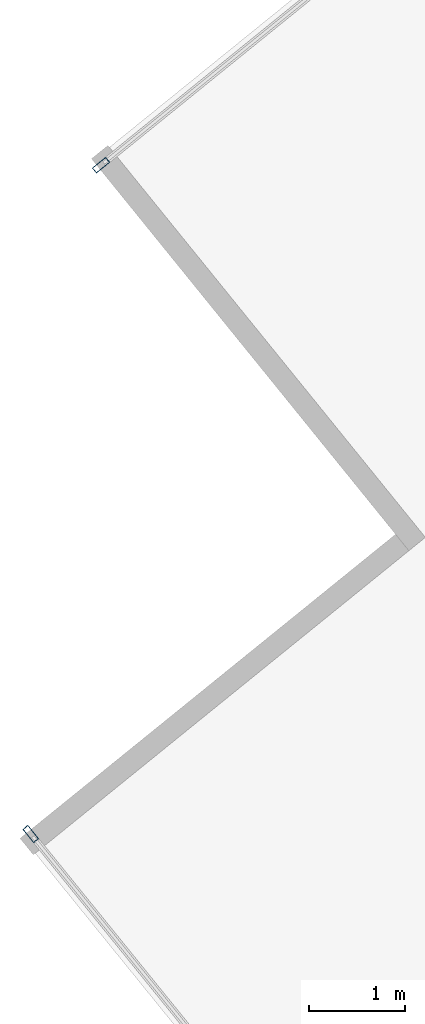
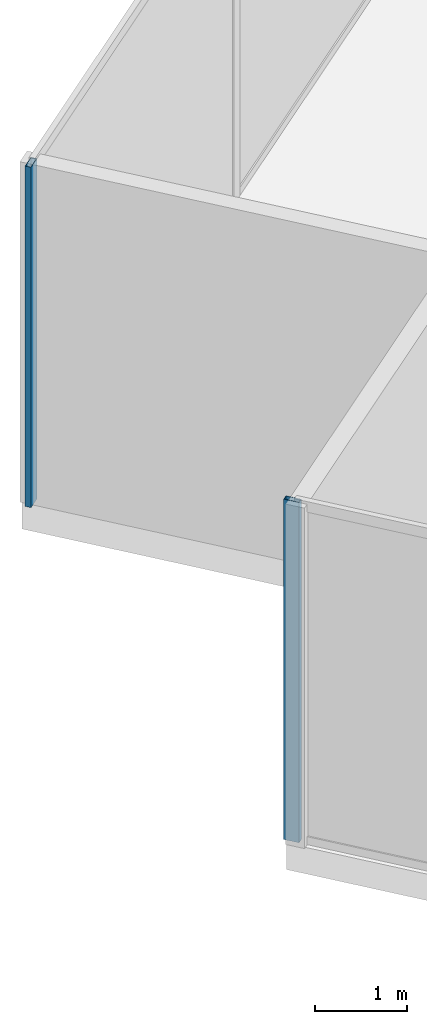
# One storey, part 6 of 22: 2 members, 2 elements without a shape of their own.
"""IFC4 building model written with IfcOpenShell, lengths in metres."""

from ifc_helpers import new_model, si_unit, direction, frame, origin, origin_2d, place, context, subcontext, project, spatial, hollow_rectangle, extrude, source, transform, mapped, material, material_profile, profile_set, type_object, type_shapes, element, aggregate, save


model = new_model("IFC4")

# Units and contexts
model_context = context("Model", 3, precision=1e-05, world=origin(), true_north=direction((0.0, 1.0)))
body_context = subcontext(model_context, "Body", "Model", "MODEL_VIEW")
ifc_project = project(units=[si_unit("LENGTHUNIT", "METRE"), si_unit("AREAUNIT", "SQUARE_METRE"), si_unit("VOLUMEUNIT", "CUBIC_METRE"), si_unit("PLANEANGLEUNIT", "RADIAN"), si_unit("MASSUNIT", "GRAM", prefix="KILO")], contexts=[model_context])

# Site, building, storey
site_placement = place(None, origin())
site = spatial("IfcSite", under=ifc_project, at=site_placement, CompositionType="ELEMENT")
building_placement = place(site_placement, origin())
building = spatial("IfcBuilding", under=site, at=building_placement, Name="Krantzveldt Concourse Tower", CompositionType="ELEMENT")
storey_placement = place(building_placement, frame((0.0, 0.0, 262.60009765625)))
storey = spatial("IfcBuildingStorey", under=building, at=storey_placement, Name="L64", CompositionType="ELEMENT", Elevation=262.60009765625)

# Curtain wall, member
ifc_material = material(Name="Anodised aluminium 6063-T6", Category="aluminium")
curtain_wall_type = type_object("IfcCurtainWallType", Name="CW5", PredefinedType="USERDEFINED", material=ifc_material)
curtain_wall_1_placement = place(storey_placement, origin())
curtain_wall_1 = element("IfcCurtainWall", 1, at=curtain_wall_1_placement, inside=storey, type_object=curtain_wall_type, Name="CW-L64-F01", ObjectType="UNITISED CURTAIN WALL", PredefinedType="USERDEFINED")
ifc_material_profile = material_profile(ifc_material, hollow_rectangle(XDim=0.070068359375, YDim=0.179931640625, WallThickness=0.0048828125, at=origin_2d()), Name="Anodised aluminium 6063-T6", Category="aluminium")
ifc_profile_set = profile_set([ifc_material_profile], Name="Anodised aluminium 6063-T6 - ALU-MULL 180x70x5")
member_type = type_object("IfcMemberType", Name="CW-MUL-180", PredefinedType="MULLION", material=ifc_profile_set)
shared_shape = source(origin(), body_context, "Body", "SweptSolid", [
    extrude(hollow_rectangle(XDim=0.070068359375, YDim=0.179931640625, WallThickness=0.0048828125, at=origin_2d()), origin(), (0.0, 0.0, 1.0), 4.52001953125),
])
type_shapes(member_type, [shared_shape])
member_1_placement = place(storey_placement, frame((11.136962890625, 32.8291015625, 0.0), z_axis=(0.0, 0.0, 1.0), x_axis=(0.629320425502, -0.777145933558, 0.0)))
member_1 = element("IfcMember", 2, at=member_1_placement, type_object=member_type, Name="CW-SKY mullion 6", PredefinedType="MULLION", context=body_context, shape_type="MappedRepresentation", body=[
    mapped(shared_shape, transform((0.0, 0.0, 0.0), x_axis=(1.0, 0.0, 0.0), y_axis=(0.0, 1.0, 0.0), z_axis=(0.0, 0.0, 1.0), scale=1.0)),
])
aggregate(curtain_wall_1, [member_1])

curtain_wall_2_placement = place(storey_placement, origin())
curtain_wall_2 = element("IfcCurtainWall", 3, at=curtain_wall_2_placement, inside=storey, type_object=curtain_wall_type, Name="CW-L64-F04", ObjectType="UNITISED CURTAIN WALL", PredefinedType="USERDEFINED")
member_2_placement = place(storey_placement, frame((10.406005859375, 25.8740234375, 0.0), z_axis=(0.0, 0.0, 1.0), x_axis=(0.777145933558, 0.629320425502, 0.0)))
member_2 = element("IfcMember", 4, at=member_2_placement, type_object=member_type, Name="CW-SKY mullion 1", PredefinedType="MULLION", context=body_context, shape_type="MappedRepresentation", body=[
    mapped(shared_shape, transform((0.0, 0.0, 0.0), x_axis=(1.0, 0.0, 0.0), y_axis=(0.0, 1.0, 0.0), z_axis=(0.0, 0.0, 1.0), scale=1.0)),
])
aggregate(curtain_wall_2, [member_2])

save(model, "model.ifc")
